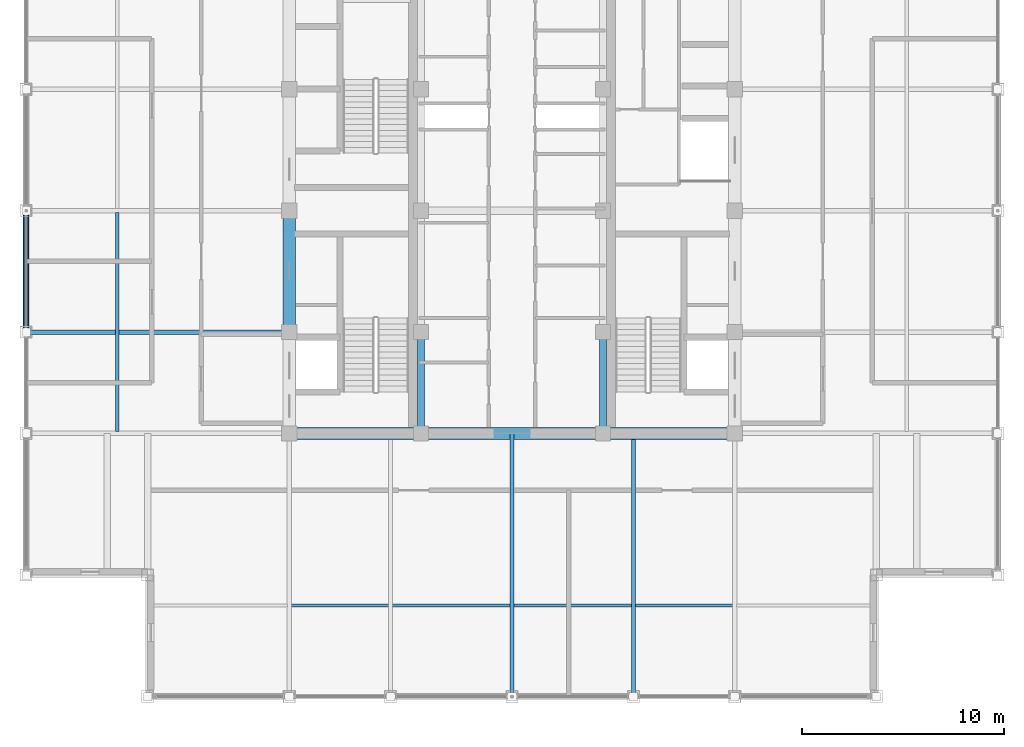
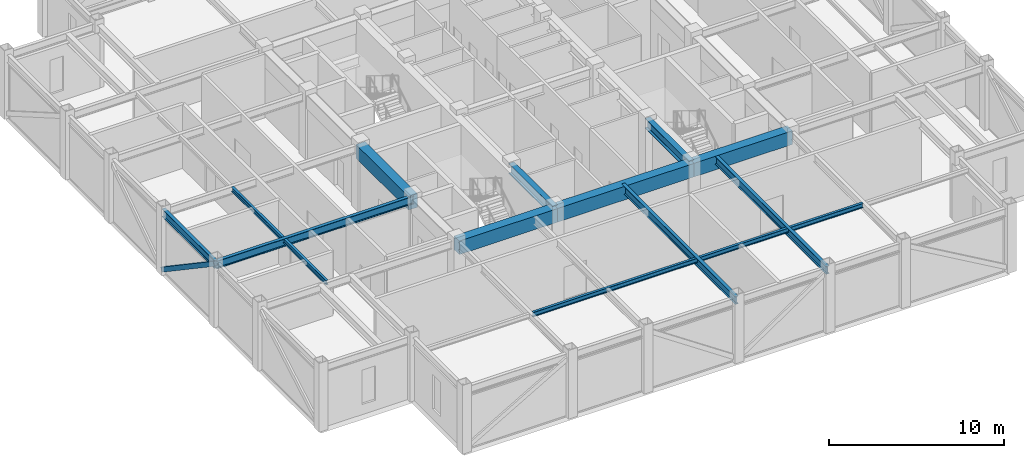
# One storey, part 5 of 27: 12 beams, 1 member.
"""IFC4 building model written with IfcOpenShell, lengths in metres."""

from ifc_helpers import new_model, si_unit, direction, frame, origin, origin_2d, place, context, subcontext, project, spatial, rectangle, hollow_rectangle, i_section, extrude, source, transform, mapped, material, material_profile, profile_set, type_object, element, save


model = new_model("IFC4")

# Units and contexts
model_context = context("Model", 3, precision=1e-05, world=origin(), true_north=direction((0.0, 1.0)))
body_context = subcontext(model_context, "Body", "Model", "MODEL_VIEW")
ifc_project = project(units=[si_unit("LENGTHUNIT", "METRE"), si_unit("AREAUNIT", "SQUARE_METRE"), si_unit("VOLUMEUNIT", "CUBIC_METRE"), si_unit("PLANEANGLEUNIT", "RADIAN"), si_unit("MASSUNIT", "GRAM", prefix="KILO")], contexts=[model_context])

# Site, building, storey
site_placement = place(None, origin())
site = spatial("IfcSite", under=ifc_project, at=site_placement, CompositionType="ELEMENT")
building_placement = place(site_placement, origin())
building = spatial("IfcBuilding", under=site, at=building_placement, Name="Khorayat Bourse Tower", CompositionType="ELEMENT")
storey_placement = place(building_placement, frame((0.0, 0.0, 389.89990234375)))
storey = spatial("IfcBuildingStorey", under=building, at=storey_placement, Name="L92", CompositionType="ELEMENT", Elevation=389.89990234375)

# Beams
ifc_material_1 = material(Name="Steel ASTM A992 Grade 50", Category="steel")
ifc_material_profile_1 = material_profile(ifc_material_1, i_section(OverallWidth=0.35498046875, OverallDepth=0.695068359375, WebThickness=0.015380859375, FlangeThickness=0.02490234375, FilletRadius=0.01806640625, at=origin_2d()), Name="W690X217")
ifc_profile_set_1 = profile_set([ifc_material_profile_1], Name="Steel ASTM A992 Grade 50")
beam_type_1 = type_object("IfcBeamType", Name="BM-GIRD-690", PredefinedType="BEAM", material=ifc_profile_set_1)
shared_shape_1 = source(origin(), body_context, "Body", "SweptSolid", [
    extrude(i_section(OverallWidth=0.35498046875, OverallDepth=0.695068359375, WebThickness=0.015380859375, FlangeThickness=0.02490234375, FilletRadius=0.01806640625, at=origin_2d()), origin(), (0.0, 0.0, 1.0), 5.0),
])
for number, where, z_axis, x_axis, name in (
    (1, (-4.5, -11.0, 4.1025390625), (0.0, 1.0, 0.0), (-1.0, 0.0, 0.0), "L92 BM-GIRD-690 BM-L92-CRX-05"),
    (2, (4.5, -11.0, 4.1025390625), (0.0, 1.0, 0.0), (-1.0, 0.0, 0.0), "L92 BM-GIRD-690 BM-L92-CRX-09"),
):
    element("IfcBeam", number, at=place(storey_placement, frame(where, z_axis=z_axis, x_axis=x_axis)), inside=storey, type_object=beam_type_1, Name=name, PredefinedType="BEAM", context=body_context, shape_type="MappedRepresentation", body=[
        mapped(shared_shape_1, transform((0.0, 0.0, 0.0), scale=1.0)),
    ])
ifc_material_2 = material(Name="Concrete C60/75", Category="concrete")
ifc_material_profile_2 = material_profile(ifc_material_2, rectangle(XDim=0.60009765625, YDim=0.949951171875, at=origin_2d()), Name="RC 600x950")
ifc_profile_set_2 = profile_set([ifc_material_profile_2], Name="Concrete C60/75")
beam_type_2 = type_object("IfcBeamType", Name="BM-COUP-950", PredefinedType="BEAM", material=ifc_profile_set_2)
shared_shape_2 = source(origin(), body_context, "Body", "SweptSolid", [
    extrude(rectangle(XDim=0.60009765625, YDim=0.949951171875, at=origin_2d()), origin(), (0.0, 0.0, 1.0), 6.0),
])
beam_1_placement = place(storey_placement, frame((-11.0, -6.0, 3.97509765625), z_axis=(0.0, 1.0, 0.0), x_axis=(-1.0, 0.0, 0.0)))
element("IfcBeam", 3, at=beam_1_placement, inside=storey, type_object=beam_type_2, Name="L92 BM-COUP-950 BM-L92-CRX-02", PredefinedType="BEAM", context=body_context, shape_type="MappedRepresentation", body=[
    mapped(shared_shape_2, transform((0.0, 0.0, 0.0), scale=1.0)),
])
shared_shape_3 = source(origin(), body_context, "Body", "SweptSolid", [
    extrude(rectangle(XDim=0.60009765625, YDim=0.949951171875, at=origin_2d()), origin(), (0.0, 0.0, 1.0), 6.5),
])
for number, where, z_axis, x_axis, name in (
    (4, (-11.0, -11.0, 3.97509765625), (1.0, 0.0, 0.0), (0.0, 1.0, 0.0), "L92 BM-COUP-950 BM-L92-CRY-17"),
    (5, (4.5, -11.0, 3.97509765625), (1.0, 0.0, 0.0), (0.0, 1.0, 0.0), "L92 BM-COUP-950 BM-L92-CRY-19"),
):
    element("IfcBeam", number, at=place(storey_placement, frame(where, z_axis=z_axis, x_axis=x_axis)), inside=storey, type_object=beam_type_2, Name=name, PredefinedType="BEAM", context=body_context, shape_type="MappedRepresentation", body=[
        mapped(shared_shape_3, transform((0.0, 0.0, 0.0), scale=1.0)),
    ])
shared_shape_4 = source(origin(), body_context, "Body", "SweptSolid", [
    extrude(rectangle(XDim=0.60009765625, YDim=0.949951171875, at=origin_2d()), origin(), (0.0, 0.0, 1.0), 9.0),
])
beam_2_placement = place(storey_placement, frame((-4.5, -11.0, 3.97509765625), z_axis=(1.0, 0.0, 0.0), x_axis=(0.0, 1.0, 0.0)))
element("IfcBeam", 6, at=beam_2_placement, inside=storey, type_object=beam_type_2, Name="L92 BM-COUP-950 BM-L92-CRY-18", PredefinedType="BEAM", context=body_context, shape_type="MappedRepresentation", body=[
    mapped(shared_shape_4, transform((0.0, 0.0, 0.0), scale=1.0)),
])
ifc_material_profile_3 = material_profile(ifc_material_1, i_section(OverallWidth=0.214111328125, OverallDepth=0.549072265625, WebThickness=0.0146484375, FlangeThickness=0.023681640625, FilletRadius=0.013916015625, at=origin_2d()), Name="W530X138")
ifc_profile_set_3 = profile_set([ifc_material_profile_3], Name="Steel ASTM A992 Grade 50")
beam_type_3 = type_object("IfcBeamType", Name="BM-SPAN-530", PredefinedType="SPANDREL", material=ifc_profile_set_3)
shared_shape_5 = source(origin(), body_context, "Body", "SweptSolid", [
    extrude(i_section(OverallWidth=0.214111328125, OverallDepth=0.549072265625, WebThickness=0.0146484375, FlangeThickness=0.023681640625, FilletRadius=0.013916015625, at=origin_2d()), origin(), (0.0, 0.0, 1.0), 6.0),
])
beam_3_placement = place(storey_placement, frame((-24.0, -6.0, 4.175537109375), z_axis=(0.0, 1.0, 0.0), x_axis=(-1.0, 0.0, 0.0)))
element("IfcBeam", 7, at=beam_3_placement, inside=storey, type_object=beam_type_3, Name="L92 BM-SPAN-530 BM-L92-SPN-051", PredefinedType="SPANDREL", context=body_context, shape_type="MappedRepresentation", body=[
    mapped(shared_shape_5, transform((0.0, 0.0, 0.0), scale=1.0)),
])
ifc_material_profile_4 = material_profile(ifc_material_1, i_section(OverallWidth=0.214111328125, OverallDepth=0.549072265625, WebThickness=0.0146484375, FlangeThickness=0.023681640625, FilletRadius=0.013916015625, at=origin_2d()), Name="W530X138")
ifc_profile_set_4 = profile_set([ifc_material_profile_4], Name="Steel ASTM A992 Grade 50")
beam_type_4 = type_object("IfcBeamType", Name="BM-GIRD-530", PredefinedType="BEAM", material=ifc_profile_set_4)
shared_shape_6 = source(origin(), body_context, "Body", "SweptSolid", [
    extrude(i_section(OverallWidth=0.214111328125, OverallDepth=0.549072265625, WebThickness=0.0146484375, FlangeThickness=0.023681640625, FilletRadius=0.013916015625, at=origin_2d()), origin(), (0.0, 0.0, 1.0), 13.0),
])
for number, where, z_axis, x_axis, name in (
    (8, (0.0, -24.0, 4.175537109375), (0.0, 1.0, 0.0), (-1.0, 0.0, 0.0), "L92 BM-GIRD-530 BM-L92-RADY-061"),
    (9, (6.0, -24.0, 4.175537109375), (0.0, 1.0, 0.0), (-1.0, 0.0, 0.0), "L92 BM-GIRD-530 BM-L92-RADY-063"),
    (10, (-24.0, -6.0, 4.175537109375), (1.0, 0.0, 0.0), (0.0, 1.0, 0.0), "L92 BM-GIRD-530 BM-L92-RADX-069"),
):
    element("IfcBeam", number, at=place(storey_placement, frame(where, z_axis=z_axis, x_axis=x_axis)), inside=storey, type_object=beam_type_4, Name=name, PredefinedType="BEAM", context=body_context, shape_type="MappedRepresentation", body=[
        mapped(shared_shape_6, transform((0.0, 0.0, 0.0), scale=1.0)),
    ])
ifc_material_profile_5 = material_profile(ifc_material_1, i_section(OverallWidth=0.1669921875, OverallDepth=0.31689453125, WebThickness=0.007568359375, FlangeThickness=0.01318359375, FilletRadius=0.010009765625, at=origin_2d()), Name="W310X52")
ifc_profile_set_5 = profile_set([ifc_material_profile_5], Name="Steel ASTM A992 Grade 50")
beam_type_5 = type_object("IfcBeamType", Name="BM-JOIST-310", PredefinedType="JOIST", material=ifc_profile_set_5)
shared_shape_7 = source(origin(), body_context, "Body", "SweptSolid", [
    extrude(i_section(OverallWidth=0.1669921875, OverallDepth=0.31689453125, WebThickness=0.007568359375, FlangeThickness=0.01318359375, FilletRadius=0.010009765625, at=origin_2d()), origin(), (0.0, 0.0, 1.0), 21.81005859375),
])
beam_4_placement = place(storey_placement, frame((-10.905029296875, -19.5, 4.29150390625), z_axis=(1.0, 0.0, 0.0), x_axis=(0.0, 1.0, 0.0)))
element("IfcBeam", 11, at=beam_4_placement, inside=storey, type_object=beam_type_5, Name="L92 BM-JOIST-310 BM-L92-JSTX-085", PredefinedType="JOIST", context=body_context, shape_type="MappedRepresentation", body=[
    mapped(shared_shape_7, transform((0.0, 0.0, 0.0), scale=1.0)),
])
shared_shape_8 = source(origin(), body_context, "Body", "SweptSolid", [
    extrude(i_section(OverallWidth=0.1669921875, OverallDepth=0.31689453125, WebThickness=0.007568359375, FlangeThickness=0.01318359375, FilletRadius=0.010009765625, at=origin_2d()), origin(), (0.0, 0.0, 1.0), 10.81005859375),
])
beam_5_placement = place(storey_placement, frame((-19.5, -10.905029296875, 4.29150390625), z_axis=(0.0, 1.0, 0.0), x_axis=(-1.0, 0.0, 0.0)))
element("IfcBeam", 12, at=beam_5_placement, inside=storey, type_object=beam_type_5, Name="L92 BM-JOIST-310 BM-L92-JSTY-090", PredefinedType="JOIST", context=body_context, shape_type="MappedRepresentation", body=[
    mapped(shared_shape_8, transform((0.0, 0.0, 0.0), scale=1.0)),
])

# Member
ifc_material_3 = material(Name="Steel EN 10025-2 S355J2", Category="steel")
ifc_material_profile_6 = material_profile(ifc_material_3, hollow_rectangle(XDim=0.300048828125, YDim=0.300048828125, WallThickness=0.01611328125, at=origin_2d()), Name="HSS 300x300x16")
ifc_profile_set_6 = profile_set([ifc_material_profile_6], Name="Steel EN 10025-2 S355J2")
member_type = type_object("IfcMemberType", Name="MBR-CROWN-300", PredefinedType="USERDEFINED", material=ifc_profile_set_6)
shared_shape_9 = source(origin(), body_context, "Body", "SweptSolid", [
    extrude(hollow_rectangle(XDim=0.300048828125, YDim=0.300048828125, WallThickness=0.01611328125, at=origin_2d()), origin(), (0.0, 0.0, 1.0), 7.23876953125),
])
member_placement = place(storey_placement, frame((-24.0, -6.0, 4.25), z_axis=(0.0, 0.828861185526, -0.559454319072), x_axis=(-1.0, 0.0, 0.0)))
element("IfcMember", 13, at=member_placement, inside=storey, type_object=member_type, Name="L92 Lantern Crown Frame Member 10", ObjectType="CROWN FRAME", PredefinedType="USERDEFINED", context=body_context, shape_type="MappedRepresentation", body=[
    mapped(shared_shape_9, transform((0.0, 0.0, 0.0), scale=1.0)),
])

save(model, "model.ifc")
